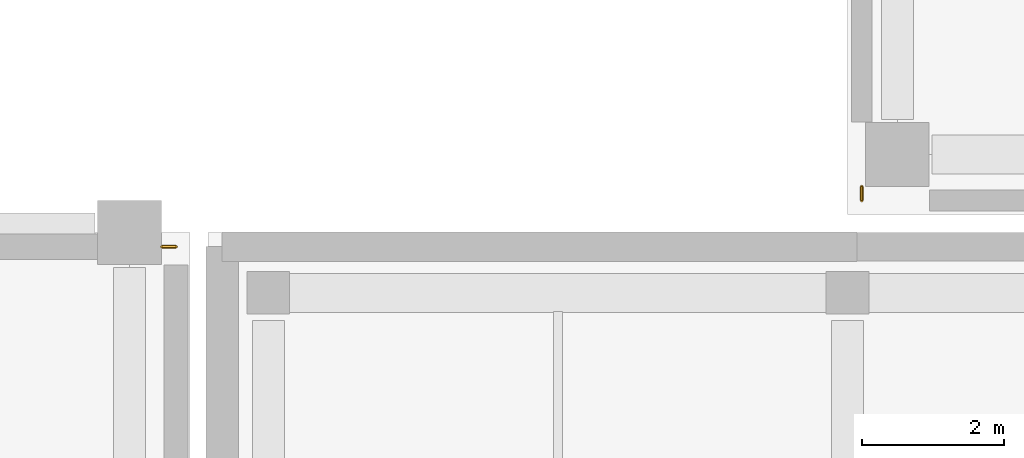
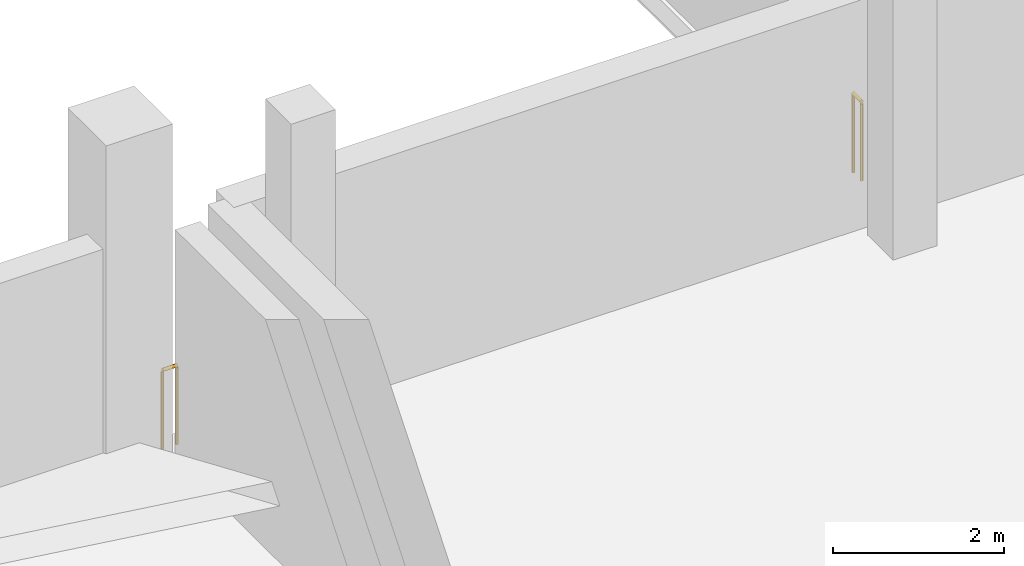
# One storey, part 87 of 100: 2 railings.
"""IFC4 building model written with IfcOpenShell, lengths in metres."""

from ifc_helpers import new_model, si_unit, direction, frame, origin, origin_2d, place, context, subcontext, project, spatial, circle, extrude, material, type_object, element, save


model = new_model("IFC4")

# Units and contexts
model_context = context("Model", 3, precision=1e-05, world=origin(), true_north=direction((0.0, 1.0)))
body_context = subcontext(model_context, "Body", "Model", "MODEL_VIEW")
ifc_project = project(units=[si_unit("LENGTHUNIT", "METRE"), si_unit("AREAUNIT", "SQUARE_METRE"), si_unit("VOLUMEUNIT", "CUBIC_METRE"), si_unit("PLANEANGLEUNIT", "RADIAN"), si_unit("MASSUNIT", "GRAM", prefix="KILO"), si_unit("THERMODYNAMICTEMPERATUREUNIT", "KELVIN"), si_unit("POWERUNIT", "WATT")], contexts=[model_context])

# Site, building, storey
site_placement = place(None, origin())
site = spatial("IfcSite", under=ifc_project, at=site_placement, CompositionType="ELEMENT")
building_placement = place(site_placement, origin())
building = spatial("IfcBuilding", under=site, at=building_placement, Name="Sindhuravela Promenade Stadium", CompositionType="ELEMENT")
storey_placement = place(building_placement, frame((0.0, 0.0, 4.800048828125)))
storey = spatial("IfcBuildingStorey", under=building, at=storey_placement, Name="L01", CompositionType="ELEMENT", Elevation=4.800048828125)

# Railings
ifc_material = material(Name="Architectural wrought steel E350", Category="steel")
railing_type = type_object("IfcRailingType", Name="RL-GRD-1150", PredefinedType="GUARDRAIL", material=ifc_material)
railing_1_placement = place(storey_placement, frame((171.199951171875, 36.449951171875, 0.0)))
element("IfcRailing", 1, at=railing_1_placement, inside=storey, type_object=railing_type, Name="Perimeter edge return guard EAST L01", PredefinedType="GUARDRAIL", context=body_context, shape_type="SweptSolid", body=[
    extrude(circle(Radius=0.02392578125, at=origin_2d()), frame((0.0, 0.0, 1.1259765625), z_axis=(0.0, 1.0, 0.0), x_axis=(-1.0, 0.0, 0.0)), (0.0, 0.0, 1.0), 0.195068359375),
    extrude(circle(Radius=0.02099609375, at=origin_2d()), origin(), (0.0, 0.0, 1.0), 1.101806640625),
    extrude(circle(Radius=0.02099609375, at=origin_2d()), frame((0.0, 0.195068359375, 0.0)), (0.0, 0.0, 1.0), 1.101806640625),
])
railing_2_placement = place(storey_placement, frame((161.35498046875, 35.800048828125, 0.0)))
element("IfcRailing", 2, at=railing_2_placement, inside=storey, type_object=railing_type, Name="Perimeter edge return guard SOUTH L01", PredefinedType="GUARDRAIL", context=body_context, shape_type="SweptSolid", body=[
    extrude(circle(Radius=0.02392578125, at=origin_2d()), frame((0.0, 0.0, 1.1259765625), z_axis=(1.0, 0.0, 0.0), x_axis=(0.0, 1.0, 0.0)), (0.0, 0.0, 1.0), 0.195068359375),
    extrude(circle(Radius=0.02099609375, at=origin_2d()), origin(), (0.0, 0.0, 1.0), 1.101806640625),
    extrude(circle(Radius=0.02099609375, at=origin_2d()), frame((0.195068359375, 0.0, 0.0)), (0.0, 0.0, 1.0), 1.101806640625),
])

save(model, "model.ifc")
